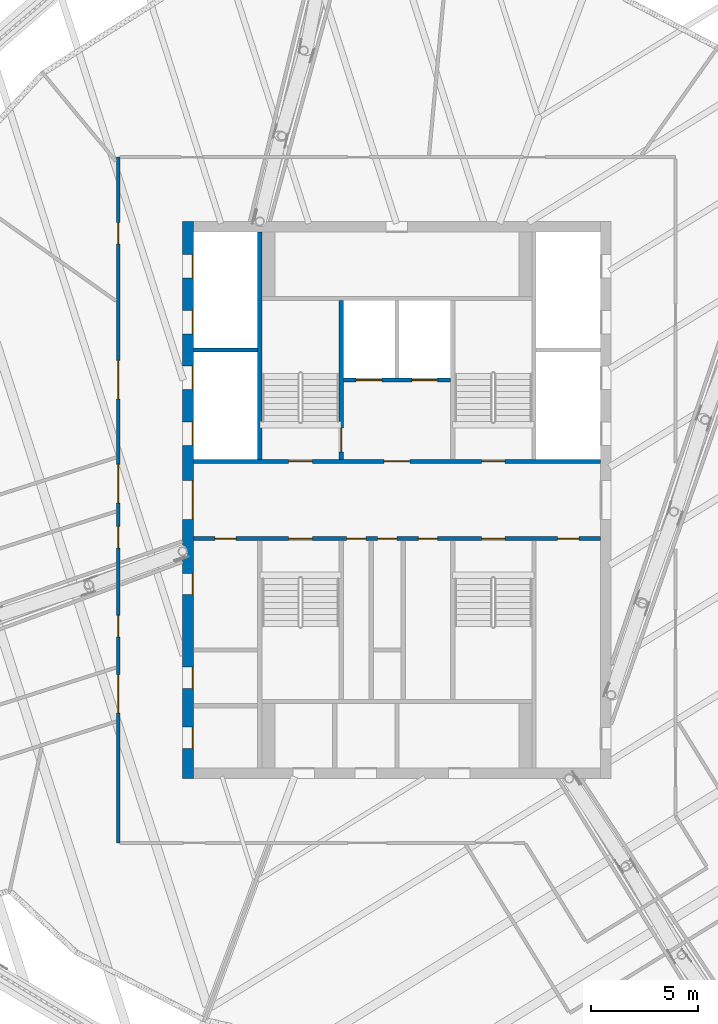
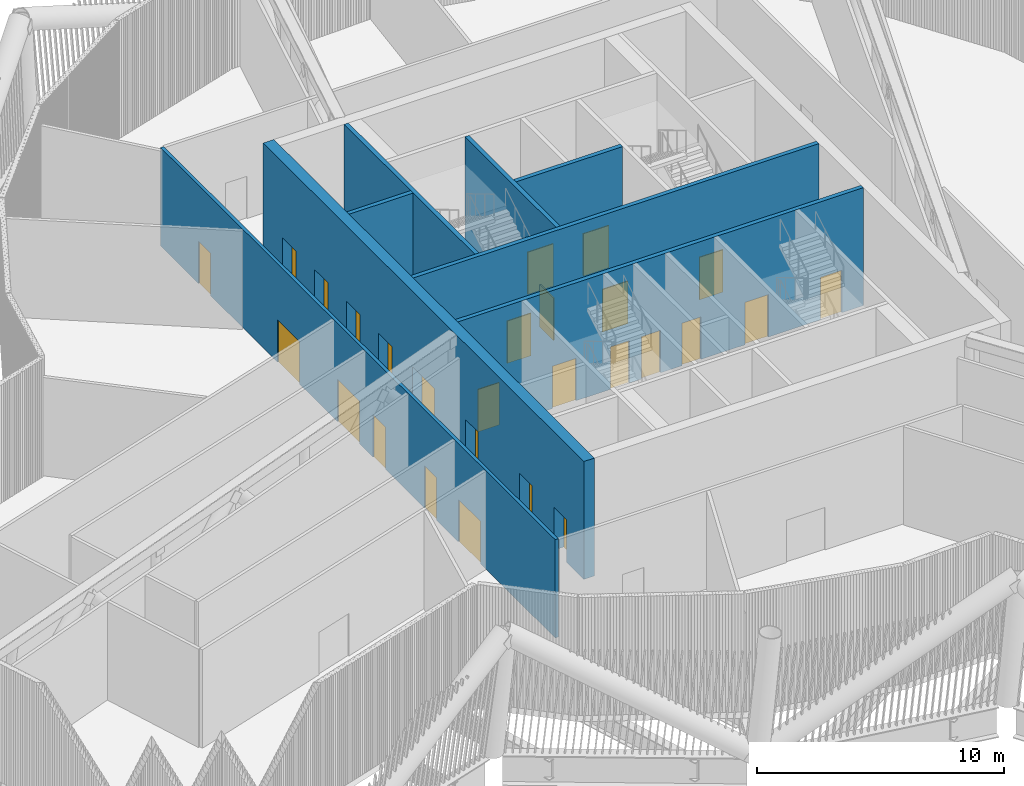
# One storey, part 14 of 40: 27 doors, 8 walls, 27 openings.
"""IFC4 building model written with IfcOpenShell, lengths in metres."""

from ifc_helpers import new_model, si_unit, direction, frame, frame_2d, origin, place, context, subcontext, project, spatial, rectangle, extrude, material, layer, layer_set, type_object, element, fill, save


model = new_model("IFC4")

# Units and contexts
model_context = context("Model", 3, precision=1e-05, world=origin(), true_north=direction((0.0, 1.0)))
body_context = subcontext(model_context, "Body", "Model", "MODEL_VIEW")
ifc_project = project(units=[si_unit("LENGTHUNIT", "METRE"), si_unit("AREAUNIT", "SQUARE_METRE"), si_unit("VOLUMEUNIT", "CUBIC_METRE"), si_unit("PLANEANGLEUNIT", "RADIAN"), si_unit("MASSUNIT", "GRAM", prefix="KILO")], contexts=[model_context])

# Site, building, storey
site_placement = place(None, origin())
site = spatial("IfcSite", under=ifc_project, at=site_placement, CompositionType="ELEMENT")
building_placement = place(site_placement, origin())
building = spatial("IfcBuilding", under=site, at=building_placement, Name="Tarsis Ring Headquarters", CompositionType="ELEMENT")
storey_placement = place(building_placement, frame((0.0, 0.0, 354.800048828125)))
storey = spatial("IfcBuildingStorey", under=building, at=storey_placement, Name="L84", CompositionType="ELEMENT", Elevation=354.800048828125)

# Wall, openings, doors
ifc_material_1 = material(Name="Concrete C50/60", Category="concrete")
ifc_layer_1 = layer(ifc_material_1, 0.5)
ifc_layer_set_1 = layer_set([ifc_layer_1], Name="Core wall 500 C50/60")
wall_type_1 = type_object("IfcWallType", Name="Core wall 500 C50/60", PredefinedType="SHEAR", material=ifc_layer_set_1)
wall_1_placement = place(storey_placement, frame((-9.75, -13.0, 0.0), z_axis=(0.0, 0.0, 1.0), x_axis=(0.0, 1.0, 0.0)))
wall_1 = element("IfcWall", 1, at=wall_1_placement, inside=storey, type_object=wall_type_1, Name="Core wall OW", PredefinedType="SHEAR", context=body_context, shape_type="SweptSolid", body=[
    extrude(rectangle(XDim=26.0, YDim=0.5, at=frame_2d((13.0, 0.0))), origin(), (0.0, 0.0, 1.0), 5.83984375),
])
opening_1_placement = place(wall_1_placement, frame((1.39990234375, 0.0, 0.0)))
opening_1 = element("IfcOpeningElement", 2, at=opening_1_placement, cuts=wall_1, Name="Opening L84-C01", PredefinedType="OPENING", context=body_context, shape_type="SweptSolid", body=[
    extrude(rectangle(XDim=1.0, YDim=2.10009765625, at=frame_2d((0.5, 1.050048828125))), frame((0.0, 0.260009765625, 0.0), z_axis=(0.0, -1.0, 0.0), x_axis=(1.0, 0.0, 0.0)), (0.0, 0.0, 1.0), 0.52001953125),
])
opening_2_placement = place(wall_1_placement, frame((4.199951171875, 0.0, 0.0)))
opening_2 = element("IfcOpeningElement", 3, at=opening_2_placement, cuts=wall_1, Name="Opening L84-C02", PredefinedType="OPENING", context=body_context, shape_type="SweptSolid", body=[
    extrude(rectangle(XDim=1.0, YDim=2.10009765625, at=frame_2d((0.5, 1.050048828125))), frame((0.0, 0.260009765625, 0.0), z_axis=(0.0, -1.0, 0.0), x_axis=(1.0, 0.0, 0.0)), (0.0, 0.0, 1.0), 0.52001953125),
])
opening_3_placement = place(wall_1_placement, frame((8.580078125, 0.0, 0.0)))
opening_3 = element("IfcOpeningElement", 4, at=opening_3_placement, cuts=wall_1, Name="Opening L84-C03", PredefinedType="OPENING", context=body_context, shape_type="SweptSolid", body=[
    extrude(rectangle(XDim=1.0, YDim=2.10009765625, at=frame_2d((0.5, 1.050048828125))), frame((0.0, 0.260009765625, 0.0), z_axis=(0.0, -1.0, 0.0), x_axis=(1.0, 0.0, 0.0)), (0.0, 0.0, 1.0), 0.52001953125),
])
opening_4_placement = place(wall_1_placement, frame((12.10009765625, 0.0, 0.0)))
opening_4 = element("IfcOpeningElement", 5, at=opening_4_placement, cuts=wall_1, Name="Opening L84-C04", PredefinedType="OPENING", context=body_context, shape_type="SweptSolid", body=[
    extrude(rectangle(XDim=1.800048828125, YDim=2.10009765625, at=frame_2d((0.89990234375, 1.050048828125))), frame((0.0, 0.260009765625, 0.0), z_axis=(0.0, -1.0, 0.0), x_axis=(1.0, 0.0, 0.0)), (0.0, 0.0, 1.0), 0.52001953125),
])
opening_5_placement = place(wall_1_placement, frame((15.550048828125, 0.0, 0.0)))
opening_5 = element("IfcOpeningElement", 6, at=opening_5_placement, cuts=wall_1, Name="Opening LD-HR1", PredefinedType="OPENING", context=body_context, shape_type="SweptSolid", body=[
    extrude(rectangle(XDim=1.10009765625, YDim=2.10009765625, at=frame_2d((0.550048828125, 1.050048828125))), frame((0.0, 0.260009765625, 0.0), z_axis=(0.0, -1.0, 0.0), x_axis=(1.0, 0.0, 0.0)), (0.0, 0.0, 1.0), 0.52001953125),
])
opening_6_placement = place(wall_1_placement, frame((18.14990234375, 0.0, 0.0)))
opening_6 = element("IfcOpeningElement", 7, at=opening_6_placement, cuts=wall_1, Name="Opening LD-HR2", PredefinedType="OPENING", context=body_context, shape_type="SweptSolid", body=[
    extrude(rectangle(XDim=1.10009765625, YDim=2.10009765625, at=frame_2d((0.550048828125, 1.050048828125))), frame((0.0, 0.260009765625, 0.0), z_axis=(0.0, -1.0, 0.0), x_axis=(1.0, 0.0, 0.0)), (0.0, 0.0, 1.0), 0.52001953125),
])
opening_7_placement = place(wall_1_placement, frame((20.75, 0.0, 0.0)))
opening_7 = element("IfcOpeningElement", 8, at=opening_7_placement, cuts=wall_1, Name="Opening LD-HR3", PredefinedType="OPENING", context=body_context, shape_type="SweptSolid", body=[
    extrude(rectangle(XDim=1.10009765625, YDim=2.10009765625, at=frame_2d((0.550048828125, 1.050048828125))), frame((0.0, 0.260009765625, 0.0), z_axis=(0.0, -1.0, 0.0), x_axis=(1.0, 0.0, 0.0)), (0.0, 0.0, 1.0), 0.52001953125),
])
opening_8_placement = place(wall_1_placement, frame((23.35009765625, 0.0, 0.0)))
opening_8 = element("IfcOpeningElement", 9, at=opening_8_placement, cuts=wall_1, Name="Opening LD-HR4", PredefinedType="OPENING", context=body_context, shape_type="SweptSolid", body=[
    extrude(rectangle(XDim=1.10009765625, YDim=2.10009765625, at=frame_2d((0.550048828125, 1.050048828125))), frame((0.0, 0.260009765625, 0.0), z_axis=(0.0, -1.0, 0.0), x_axis=(1.0, 0.0, 0.0)), (0.0, 0.0, 1.0), 0.52001953125),
])
ifc_material_2 = material(Name="Steel S355", Category="steel")
door_type_1 = type_object("IfcDoorType", Name="Core entry door 1800x2100", OperationType="DOUBLE_DOOR_SINGLE_SWING", PredefinedType="DOOR", material=ifc_material_2)
door_1_placement = place(opening_4_placement, origin())
door_1 = element("IfcDoor", 10, at=door_1_placement, inside=storey, type_object=door_type_1, Name="Core entry door L84", OperationType="DOUBLE_DOOR_SINGLE_SWING", OverallHeight=2.10009765625, OverallWidth=1.800048828125, PredefinedType="DOOR", context=body_context, shape_type="SweptSolid", body=[
    extrude(rectangle(XDim=1.800048828125, YDim=2.10009765625, at=frame_2d((0.89990234375, 1.050048828125))), frame((0.0, -0.2001953125, 0.0), z_axis=(0.0, -1.0, 0.0), x_axis=(1.0, 0.0, 0.0)), (0.0, 0.0, 1.0), 0.050048828125),
])
fill(opening_4, door_1)
door_type_2 = type_object("IfcDoorType", Name="Core room door 1000x2100", OperationType="SINGLE_SWING_LEFT", PredefinedType="DOOR", material=ifc_material_2)
door_2_placement = place(opening_1_placement, origin())
door_2 = element("IfcDoor", 11, at=door_2_placement, inside=storey, type_object=door_type_2, Name="Core room door L84", OperationType="SINGLE_SWING_LEFT", OverallHeight=2.10009765625, OverallWidth=1.0, PredefinedType="DOOR", context=body_context, shape_type="SweptSolid", body=[
    extrude(rectangle(XDim=1.0, YDim=2.10009765625, at=frame_2d((0.5, 1.050048828125))), frame((0.0, -0.2001953125, 0.0), z_axis=(0.0, -1.0, 0.0), x_axis=(1.0, 0.0, 0.0)), (0.0, 0.0, 1.0), 0.050048828125),
])
fill(opening_1, door_2)
door_3_placement = place(opening_2_placement, origin())
door_3 = element("IfcDoor", 12, at=door_3_placement, inside=storey, type_object=door_type_2, Name="Core room door L84", OperationType="SINGLE_SWING_LEFT", OverallHeight=2.10009765625, OverallWidth=1.0, PredefinedType="DOOR", context=body_context, shape_type="SweptSolid", body=[
    extrude(rectangle(XDim=1.0, YDim=2.10009765625, at=frame_2d((0.5, 1.050048828125))), frame((0.0, -0.2001953125, 0.0), z_axis=(0.0, -1.0, 0.0), x_axis=(1.0, 0.0, 0.0)), (0.0, 0.0, 1.0), 0.050048828125),
])
fill(opening_2, door_3)
door_4_placement = place(opening_3_placement, origin())
door_4 = element("IfcDoor", 13, at=door_4_placement, inside=storey, type_object=door_type_2, Name="Core room door L84", OperationType="SINGLE_SWING_LEFT", OverallHeight=2.10009765625, OverallWidth=1.0, PredefinedType="DOOR", context=body_context, shape_type="SweptSolid", body=[
    extrude(rectangle(XDim=1.0, YDim=2.10009765625, at=frame_2d((0.5, 1.050048828125))), frame((0.0, -0.2001953125, 0.0), z_axis=(0.0, -1.0, 0.0), x_axis=(1.0, 0.0, 0.0)), (0.0, 0.0, 1.0), 0.050048828125),
])
fill(opening_3, door_4)
door_type_3 = type_object("IfcDoorType", Name="Landing door 1100x2100", OperationType="SLIDING_TO_LEFT", PredefinedType="DOOR", material=ifc_material_2)
door_5_placement = place(opening_5_placement, origin())
door_5 = element("IfcDoor", 14, at=door_5_placement, inside=storey, type_object=door_type_3, Name="Landing door HR1 L84", OperationType="SLIDING_TO_LEFT", OverallHeight=2.10009765625, OverallWidth=1.10009765625, PredefinedType="DOOR", context=body_context, shape_type="SweptSolid", body=[
    extrude(rectangle(XDim=1.10009765625, YDim=2.10009765625, at=frame_2d((0.550048828125, 1.050048828125))), frame((0.0, -0.2001953125, 0.0), z_axis=(0.0, -1.0, 0.0), x_axis=(1.0, 0.0, 0.0)), (0.0, 0.0, 1.0), 0.050048828125),
])
fill(opening_5, door_5)
door_6_placement = place(opening_6_placement, origin())
door_6 = element("IfcDoor", 15, at=door_6_placement, inside=storey, type_object=door_type_3, Name="Landing door HR2 L84", OperationType="SLIDING_TO_LEFT", OverallHeight=2.10009765625, OverallWidth=1.10009765625, PredefinedType="DOOR", context=body_context, shape_type="SweptSolid", body=[
    extrude(rectangle(XDim=1.10009765625, YDim=2.10009765625, at=frame_2d((0.550048828125, 1.050048828125))), frame((0.0, -0.2001953125, 0.0), z_axis=(0.0, -1.0, 0.0), x_axis=(1.0, 0.0, 0.0)), (0.0, 0.0, 1.0), 0.050048828125),
])
fill(opening_6, door_6)
door_7_placement = place(opening_7_placement, origin())
door_7 = element("IfcDoor", 16, at=door_7_placement, inside=storey, type_object=door_type_3, Name="Landing door HR3 L84", OperationType="SLIDING_TO_LEFT", OverallHeight=2.10009765625, OverallWidth=1.10009765625, PredefinedType="DOOR", context=body_context, shape_type="SweptSolid", body=[
    extrude(rectangle(XDim=1.10009765625, YDim=2.10009765625, at=frame_2d((0.550048828125, 1.050048828125))), frame((0.0, -0.2001953125, 0.0), z_axis=(0.0, -1.0, 0.0), x_axis=(1.0, 0.0, 0.0)), (0.0, 0.0, 1.0), 0.050048828125),
])
fill(opening_7, door_7)
door_8_placement = place(opening_8_placement, origin())
door_8 = element("IfcDoor", 17, at=door_8_placement, inside=storey, type_object=door_type_3, Name="Landing door HR4 L84", OperationType="SLIDING_TO_LEFT", OverallHeight=2.10009765625, OverallWidth=1.10009765625, PredefinedType="DOOR", context=body_context, shape_type="SweptSolid", body=[
    extrude(rectangle(XDim=1.10009765625, YDim=2.10009765625, at=frame_2d((0.550048828125, 1.050048828125))), frame((0.0, -0.2001953125, 0.0), z_axis=(0.0, -1.0, 0.0), x_axis=(1.0, 0.0, 0.0)), (0.0, 0.0, 1.0), 0.050048828125),
])
fill(opening_8, door_8)

ifc_material_3 = material(Name="Gypsum board on steel studs", Category="steel")
ifc_layer_2 = layer(ifc_material_3, 0.14990234375)
ifc_layer_set_2 = layer_set([ifc_layer_2], Name="FL partition 150 EI 120 H4870")
wall_type_2 = type_object("IfcWallType", Name="FL partition 150 EI 120 H4870", PredefinedType="PARTITIONING", material=ifc_layer_set_2)
wall_2_placement = place(storey_placement, frame((-13.0, -16.0, 0.0), z_axis=(0.0, 0.0, 1.0), x_axis=(0.0, 1.0, 0.0)))
wall_2 = element("IfcWall", 18, at=wall_2_placement, inside=storey, type_object=wall_type_2, Name="Partition PW2H487", PredefinedType="PARTITIONING", context=body_context, shape_type="SweptSolid", body=[
    extrude(rectangle(XDim=32.0, YDim=0.14990234375, at=frame_2d((16.0, 0.0))), origin(), (0.0, 0.0, 1.0), 4.869873046875),
])
opening_9_placement = place(wall_2_placement, frame((20.714111328125, 0.0, 0.0)))
opening_9 = element("IfcOpeningElement", 19, at=opening_9_placement, cuts=wall_2, Name="Opening D84.04", PredefinedType="OPENING", context=body_context, shape_type="SweptSolid", body=[
    extrude(rectangle(XDim=1.800048828125, YDim=2.10009765625, at=frame_2d((0.89990234375, 1.050048828125))), frame((0.0, 0.0849609375, 0.0), z_axis=(0.0, -1.0, 0.0), x_axis=(1.0, 0.0, 0.0)), (0.0, 0.0, 1.0), 0.169921875),
])
opening_10_placement = place(wall_2_placement, frame((27.9404296875, 0.0, 0.0)))
opening_10 = element("IfcOpeningElement", 20, at=opening_10_placement, cuts=wall_2, Name="Opening D84.05", PredefinedType="OPENING", context=body_context, shape_type="SweptSolid", body=[
    extrude(rectangle(XDim=1.0, YDim=2.10009765625, at=frame_2d((0.5, 1.050048828125))), frame((0.0, 0.0849609375, 0.0), z_axis=(0.0, -1.0, 0.0), x_axis=(1.0, 0.0, 0.0)), (0.0, 0.0, 1.0), 0.169921875),
])
opening_11_placement = place(wall_2_placement, frame((9.613037109375, 0.0, 0.0)))
opening_11 = element("IfcOpeningElement", 21, at=opening_11_placement, cuts=wall_2, Name="Opening D84.12", PredefinedType="OPENING", context=body_context, shape_type="SweptSolid", body=[
    extrude(rectangle(XDim=1.0, YDim=2.10009765625, at=frame_2d((0.5, 1.050048828125))), frame((0.0, 0.0849609375, 0.0), z_axis=(0.0, -1.0, 0.0), x_axis=(1.0, 0.0, 0.0)), (0.0, 0.0, 1.0), 0.169921875),
])
opening_12_placement = place(wall_2_placement, frame((13.768798828125, 0.0, 0.0)))
opening_12 = element("IfcOpeningElement", 22, at=opening_12_placement, cuts=wall_2, Name="Opening D84.13", PredefinedType="OPENING", context=body_context, shape_type="SweptSolid", body=[
    extrude(rectangle(XDim=1.0, YDim=2.10009765625, at=frame_2d((0.5, 1.050048828125))), frame((0.0, 0.0849609375, 0.0), z_axis=(0.0, -1.0, 0.0), x_axis=(1.0, 0.0, 0.0)), (0.0, 0.0, 1.0), 0.169921875),
])
opening_13_placement = place(wall_2_placement, frame((6.0546875, 0.0, 0.0)))
opening_13 = element("IfcOpeningElement", 23, at=opening_13_placement, cuts=wall_2, Name="Opening D84.16", PredefinedType="OPENING", context=body_context, shape_type="SweptSolid", body=[
    extrude(rectangle(XDim=1.800048828125, YDim=2.10009765625, at=frame_2d((0.89990234375, 1.050048828125))), frame((0.0, 0.0849609375, 0.0), z_axis=(0.0, -1.0, 0.0), x_axis=(1.0, 0.0, 0.0)), (0.0, 0.0, 1.0), 0.169921875),
])
opening_14_placement = place(wall_2_placement, frame((15.857666015625, 0.0, 0.0)))
opening_14 = element("IfcOpeningElement", 24, at=opening_14_placement, cuts=wall_2, Name="Opening D84.17", PredefinedType="OPENING", context=body_context, shape_type="SweptSolid", body=[
    extrude(rectangle(XDim=1.800048828125, YDim=2.10009765625, at=frame_2d((0.89990234375, 1.050048828125))), frame((0.0, 0.0849609375, 0.0), z_axis=(0.0, -1.0, 0.0), x_axis=(1.0, 0.0, 0.0)), (0.0, 0.0, 1.0), 0.169921875),
])
ifc_material_4 = material(Name="Fire-rated timber door leaf in steel frame", Category="steel")
door_type_4 = type_object("IfcDoorType", Name="FL door FD120-1000", OperationType="NOTDEFINED", PredefinedType="DOOR", material=ifc_material_4)
door_9_placement = place(opening_10_placement, origin())
door_9 = element("IfcDoor", 25, at=door_9_placement, inside=storey, type_object=door_type_4, Name="Door D84.05", OperationType="SINGLE_SWING_LEFT", OverallHeight=2.10009765625, OverallWidth=1.0, PredefinedType="DOOR", context=body_context, shape_type="SweptSolid", body=[
    extrude(rectangle(XDim=1.0, YDim=2.10009765625, at=frame_2d((0.5, 1.050048828125))), frame((0.0, 0.02490234375, 0.0), z_axis=(0.0, -1.0, 0.0), x_axis=(1.0, 0.0, 0.0)), (0.0, 0.0, 1.0), 0.050048828125),
])
fill(opening_10, door_9)
door_10_placement = place(opening_11_placement, origin())
door_10 = element("IfcDoor", 26, at=door_10_placement, inside=storey, type_object=door_type_4, Name="Door D84.12", OperationType="SINGLE_SWING_RIGHT", OverallHeight=2.10009765625, OverallWidth=1.0, PredefinedType="DOOR", context=body_context, shape_type="SweptSolid", body=[
    extrude(rectangle(XDim=1.0, YDim=2.10009765625, at=frame_2d((0.5, 1.050048828125))), frame((0.0, 0.02490234375, 0.0), z_axis=(0.0, -1.0, 0.0), x_axis=(1.0, 0.0, 0.0)), (0.0, 0.0, 1.0), 0.050048828125),
])
fill(opening_11, door_10)
door_11_placement = place(opening_12_placement, origin())
door_11 = element("IfcDoor", 27, at=door_11_placement, inside=storey, type_object=door_type_4, Name="Door D84.13", OperationType="SINGLE_SWING_LEFT", OverallHeight=2.10009765625, OverallWidth=1.0, PredefinedType="DOOR", context=body_context, shape_type="SweptSolid", body=[
    extrude(rectangle(XDim=1.0, YDim=2.10009765625, at=frame_2d((0.5, 1.050048828125))), frame((0.0, 0.02490234375, 0.0), z_axis=(0.0, -1.0, 0.0), x_axis=(1.0, 0.0, 0.0)), (0.0, 0.0, 1.0), 0.050048828125),
])
fill(opening_12, door_11)
door_type_5 = type_object("IfcDoorType", Name="FL door FD120-1800", OperationType="DOUBLE_DOOR_SINGLE_SWING", PredefinedType="DOOR", material=ifc_material_4)
door_12_placement = place(opening_9_placement, origin())
door_12 = element("IfcDoor", 28, at=door_12_placement, inside=storey, type_object=door_type_5, Name="Door D84.04", OperationType="DOUBLE_DOOR_SINGLE_SWING", OverallHeight=2.10009765625, OverallWidth=1.800048828125, PredefinedType="DOOR", context=body_context, shape_type="SweptSolid", body=[
    extrude(rectangle(XDim=1.800048828125, YDim=2.10009765625, at=frame_2d((0.89990234375, 1.050048828125))), frame((0.0, 0.02490234375, 0.0), z_axis=(0.0, -1.0, 0.0), x_axis=(1.0, 0.0, 0.0)), (0.0, 0.0, 1.0), 0.050048828125),
])
fill(opening_9, door_12)
door_13_placement = place(opening_13_placement, origin())
door_13 = element("IfcDoor", 29, at=door_13_placement, inside=storey, type_object=door_type_5, Name="Door D84.16", OperationType="DOUBLE_DOOR_SINGLE_SWING", OverallHeight=2.10009765625, OverallWidth=1.800048828125, PredefinedType="DOOR", context=body_context, shape_type="SweptSolid", body=[
    extrude(rectangle(XDim=1.800048828125, YDim=2.10009765625, at=frame_2d((0.89990234375, 1.050048828125))), frame((0.0, 0.02490234375, 0.0), z_axis=(0.0, -1.0, 0.0), x_axis=(1.0, 0.0, 0.0)), (0.0, 0.0, 1.0), 0.050048828125),
])
fill(opening_13, door_13)
door_14_placement = place(opening_14_placement, origin())
door_14 = element("IfcDoor", 30, at=door_14_placement, inside=storey, type_object=door_type_5, Name="Door D84.17", OperationType="DOUBLE_DOOR_SINGLE_SWING", OverallHeight=2.10009765625, OverallWidth=1.800048828125, PredefinedType="DOOR", context=body_context, shape_type="SweptSolid", body=[
    extrude(rectangle(XDim=1.800048828125, YDim=2.10009765625, at=frame_2d((0.89990234375, 1.050048828125))), frame((0.0, 0.02490234375, 0.0), z_axis=(0.0, -1.0, 0.0), x_axis=(1.0, 0.0, 0.0)), (0.0, 0.0, 1.0), 0.050048828125),
])
fill(opening_14, door_14)

ifc_material_5 = material(Name="Concrete C32/40", Category="concrete")
ifc_layer_3 = layer(ifc_material_5, 0.199951171875)
ifc_layer_set_3 = layer_set([ifc_layer_3], Name="Shaft wall 200 C32/40")
wall_type_3 = type_object("IfcWallType", Name="Shaft wall 200 C32/40", PredefinedType="SOLIDWALL", material=ifc_layer_set_3)
wall_3_placement = place(storey_placement, frame((-9.5, 1.800048828125, 0.0), z_axis=(0.0, 0.0, 1.0), x_axis=(1.0, 0.0, 0.0)))
wall_3 = element("IfcWall", 31, at=wall_3_placement, inside=storey, type_object=wall_type_3, Name="Core shaft wall CN", PredefinedType="SOLIDWALL", context=body_context, shape_type="SweptSolid", body=[
    extrude(rectangle(XDim=19.0, YDim=0.199951171875, at=frame_2d((9.5, 0.0))), origin(), (0.0, 0.0, 1.0), 5.83984375),
])
opening_15_placement = place(wall_3_placement, frame((4.449951171875, 0.0, 0.0)))
opening_15 = element("IfcOpeningElement", 32, at=opening_15_placement, cuts=wall_3, Name="Opening L84-C19", PredefinedType="OPENING", context=body_context, shape_type="SweptSolid", body=[
    extrude(rectangle(XDim=1.10009765625, YDim=2.10009765625, at=frame_2d((0.550048828125, 1.050048828125))), frame((0.0, 0.10986328125, 0.0), z_axis=(0.0, -1.0, 0.0), x_axis=(1.0, 0.0, 0.0)), (0.0, 0.0, 1.0), 0.219970703125),
])
opening_16_placement = place(wall_3_placement, frame((8.89990234375, 0.0, 0.0)))
opening_16 = element("IfcOpeningElement", 33, at=opening_16_placement, cuts=wall_3, Name="Opening L84-C20", PredefinedType="OPENING", context=body_context, shape_type="SweptSolid", body=[
    extrude(rectangle(XDim=1.199951171875, YDim=2.10009765625, at=frame_2d((0.60009765625, 1.050048828125))), frame((0.0, 0.10986328125, 0.0), z_axis=(0.0, -1.0, 0.0), x_axis=(1.0, 0.0, 0.0)), (0.0, 0.0, 1.0), 0.219970703125),
])
opening_17_placement = place(wall_3_placement, frame((13.449951171875, 0.0, 0.0)))
opening_17 = element("IfcOpeningElement", 34, at=opening_17_placement, cuts=wall_3, Name="Opening L84-C21", PredefinedType="OPENING", context=body_context, shape_type="SweptSolid", body=[
    extrude(rectangle(XDim=1.10009765625, YDim=2.10009765625, at=frame_2d((0.550048828125, 1.050048828125))), frame((0.0, 0.10986328125, 0.0), z_axis=(0.0, -1.0, 0.0), x_axis=(1.0, 0.0, 0.0)), (0.0, 0.0, 1.0), 0.219970703125),
])
door_type_6 = type_object("IfcDoorType", Name="Firefighting lobby door 1200x2100", OperationType="DOUBLE_DOOR_SINGLE_SWING", PredefinedType="DOOR", material=ifc_material_2)
door_15_placement = place(opening_16_placement, origin())
door_15 = element("IfcDoor", 35, at=door_15_placement, inside=storey, type_object=door_type_6, Name="Firefighting lobby door L84", OperationType="DOUBLE_DOOR_SINGLE_SWING", OverallHeight=2.10009765625, OverallWidth=1.199951171875, PredefinedType="DOOR", context=body_context, shape_type="SweptSolid", body=[
    extrude(rectangle(XDim=1.199951171875, YDim=2.10009765625, at=frame_2d((0.60009765625, 1.050048828125))), frame((0.0, 0.02490234375, 0.0), z_axis=(0.0, -1.0, 0.0), x_axis=(1.0, 0.0, 0.0)), (0.0, 0.0, 1.0), 0.050048828125),
])
fill(opening_16, door_15)
door_type_7 = type_object("IfcDoorType", Name="Stair door 1100x2100", OperationType="SINGLE_SWING_LEFT", PredefinedType="DOOR", material=ifc_material_2)
door_16_placement = place(opening_15_placement, origin())
door_16 = element("IfcDoor", 36, at=door_16_placement, inside=storey, type_object=door_type_7, Name="Stair door L84", OperationType="SINGLE_SWING_LEFT", OverallHeight=2.10009765625, OverallWidth=1.10009765625, PredefinedType="DOOR", context=body_context, shape_type="SweptSolid", body=[
    extrude(rectangle(XDim=1.10009765625, YDim=2.10009765625, at=frame_2d((0.550048828125, 1.050048828125))), frame((0.0, 0.02490234375, 0.0), z_axis=(0.0, -1.0, 0.0), x_axis=(1.0, 0.0, 0.0)), (0.0, 0.0, 1.0), 0.050048828125),
])
fill(opening_15, door_16)
door_17_placement = place(opening_17_placement, origin())
door_17 = element("IfcDoor", 37, at=door_17_placement, inside=storey, type_object=door_type_7, Name="Stair door L84", OperationType="SINGLE_SWING_LEFT", OverallHeight=2.10009765625, OverallWidth=1.10009765625, PredefinedType="DOOR", context=body_context, shape_type="SweptSolid", body=[
    extrude(rectangle(XDim=1.10009765625, YDim=2.10009765625, at=frame_2d((0.550048828125, 1.050048828125))), frame((0.0, 0.02490234375, 0.0), z_axis=(0.0, -1.0, 0.0), x_axis=(1.0, 0.0, 0.0)), (0.0, 0.0, 1.0), 0.050048828125),
])
fill(opening_17, door_17)

wall_4_placement = place(storey_placement, frame((-9.5, -1.800048828125, 0.0), z_axis=(0.0, 0.0, 1.0), x_axis=(1.0, 0.0, 0.0)))
wall_4 = element("IfcWall", 38, at=wall_4_placement, inside=storey, type_object=wall_type_3, Name="Core shaft wall CS", PredefinedType="SOLIDWALL", context=body_context, shape_type="SweptSolid", body=[
    extrude(rectangle(XDim=19.0, YDim=0.199951171875, at=frame_2d((9.5, 0.0))), origin(), (0.0, 0.0, 1.0), 5.83984375),
])
opening_18_placement = place(wall_4_placement, frame((1.0, 0.0, 0.0)))
opening_18 = element("IfcOpeningElement", 39, at=opening_18_placement, cuts=wall_4, Name="Opening L84-C22", PredefinedType="OPENING", context=body_context, shape_type="SweptSolid", body=[
    extrude(rectangle(XDim=1.0, YDim=2.10009765625, at=frame_2d((0.5, 1.050048828125))), frame((0.0, 0.10986328125, 0.0), z_axis=(0.0, -1.0, 0.0), x_axis=(1.0, 0.0, 0.0)), (0.0, 0.0, 1.0), 0.219970703125),
])
opening_19_placement = place(wall_4_placement, frame((4.449951171875, 0.0, 0.0)))
opening_19 = element("IfcOpeningElement", 40, at=opening_19_placement, cuts=wall_4, Name="Opening L84-C23", PredefinedType="OPENING", context=body_context, shape_type="SweptSolid", body=[
    extrude(rectangle(XDim=1.10009765625, YDim=2.10009765625, at=frame_2d((0.550048828125, 1.050048828125))), frame((0.0, 0.10986328125, 0.0), z_axis=(0.0, -1.0, 0.0), x_axis=(1.0, 0.0, 0.0)), (0.0, 0.0, 1.0), 0.219970703125),
])
opening_20_placement = place(wall_4_placement, frame((7.14990234375, 0.0, 0.0)))
opening_20 = element("IfcOpeningElement", 41, at=opening_20_placement, cuts=wall_4, Name="Opening L84-C24", PredefinedType="OPENING", context=body_context, shape_type="SweptSolid", body=[
    extrude(rectangle(XDim=0.89990234375, YDim=2.10009765625, at=frame_2d((0.449951171875, 1.050048828125))), frame((0.0, 0.10986328125, 0.0), z_axis=(0.0, -1.0, 0.0), x_axis=(1.0, 0.0, 0.0)), (0.0, 0.0, 1.0), 0.219970703125),
])
opening_21_placement = place(wall_4_placement, frame((8.60009765625, 0.0, 0.0)))
opening_21 = element("IfcOpeningElement", 42, at=opening_21_placement, cuts=wall_4, Name="Opening L84-C25", PredefinedType="OPENING", context=body_context, shape_type="SweptSolid", body=[
    extrude(rectangle(XDim=0.89990234375, YDim=2.10009765625, at=frame_2d((0.449951171875, 1.050048828125))), frame((0.0, 0.10986328125, 0.0), z_axis=(0.0, -1.0, 0.0), x_axis=(1.0, 0.0, 0.0)), (0.0, 0.0, 1.0), 0.219970703125),
])
opening_22_placement = place(wall_4_placement, frame((10.5, 0.0, 0.0)))
opening_22 = element("IfcOpeningElement", 43, at=opening_22_placement, cuts=wall_4, Name="Opening L84-C26", PredefinedType="OPENING", context=body_context, shape_type="SweptSolid", body=[
    extrude(rectangle(XDim=0.89990234375, YDim=2.10009765625, at=frame_2d((0.449951171875, 1.050048828125))), frame((0.0, 0.10986328125, 0.0), z_axis=(0.0, -1.0, 0.0), x_axis=(1.0, 0.0, 0.0)), (0.0, 0.0, 1.0), 0.219970703125),
])
opening_23_placement = place(wall_4_placement, frame((13.449951171875, 0.0, 0.0)))
opening_23 = element("IfcOpeningElement", 44, at=opening_23_placement, cuts=wall_4, Name="Opening L84-C27", PredefinedType="OPENING", context=body_context, shape_type="SweptSolid", body=[
    extrude(rectangle(XDim=1.10009765625, YDim=2.10009765625, at=frame_2d((0.550048828125, 1.050048828125))), frame((0.0, 0.10986328125, 0.0), z_axis=(0.0, -1.0, 0.0), x_axis=(1.0, 0.0, 0.0)), (0.0, 0.0, 1.0), 0.219970703125),
])
opening_24_placement = place(wall_4_placement, frame((17.0, 0.0, 0.0)))
opening_24 = element("IfcOpeningElement", 45, at=opening_24_placement, cuts=wall_4, Name="Opening L84-C28", PredefinedType="OPENING", context=body_context, shape_type="SweptSolid", body=[
    extrude(rectangle(XDim=1.0, YDim=2.10009765625, at=frame_2d((0.5, 1.050048828125))), frame((0.0, 0.10986328125, 0.0), z_axis=(0.0, -1.0, 0.0), x_axis=(1.0, 0.0, 0.0)), (0.0, 0.0, 1.0), 0.219970703125),
])
door_18_placement = place(opening_18_placement, origin())
door_18 = element("IfcDoor", 46, at=door_18_placement, inside=storey, type_object=door_type_2, Name="Core room door L84", OperationType="SINGLE_SWING_LEFT", OverallHeight=2.10009765625, OverallWidth=1.0, PredefinedType="DOOR", context=body_context, shape_type="SweptSolid", body=[
    extrude(rectangle(XDim=1.0, YDim=2.10009765625, at=frame_2d((0.5, 1.050048828125))), frame((0.0, 0.02490234375, 0.0), z_axis=(0.0, -1.0, 0.0), x_axis=(1.0, 0.0, 0.0)), (0.0, 0.0, 1.0), 0.050048828125),
])
fill(opening_18, door_18)
door_19_placement = place(opening_24_placement, origin())
door_19 = element("IfcDoor", 47, at=door_19_placement, inside=storey, type_object=door_type_2, Name="Core room door L84", OperationType="SINGLE_SWING_LEFT", OverallHeight=2.10009765625, OverallWidth=1.0, PredefinedType="DOOR", context=body_context, shape_type="SweptSolid", body=[
    extrude(rectangle(XDim=1.0, YDim=2.10009765625, at=frame_2d((0.5, 1.050048828125))), frame((0.0, 0.02490234375, 0.0), z_axis=(0.0, -1.0, 0.0), x_axis=(1.0, 0.0, 0.0)), (0.0, 0.0, 1.0), 0.050048828125),
])
fill(opening_24, door_19)
door_20_placement = place(opening_19_placement, origin())
door_20 = element("IfcDoor", 48, at=door_20_placement, inside=storey, type_object=door_type_7, Name="Stair door L84", OperationType="SINGLE_SWING_LEFT", OverallHeight=2.10009765625, OverallWidth=1.10009765625, PredefinedType="DOOR", context=body_context, shape_type="SweptSolid", body=[
    extrude(rectangle(XDim=1.10009765625, YDim=2.10009765625, at=frame_2d((0.550048828125, 1.050048828125))), frame((0.0, 0.02490234375, 0.0), z_axis=(0.0, -1.0, 0.0), x_axis=(1.0, 0.0, 0.0)), (0.0, 0.0, 1.0), 0.050048828125),
])
fill(opening_19, door_20)
door_21_placement = place(opening_23_placement, origin())
door_21 = element("IfcDoor", 49, at=door_21_placement, inside=storey, type_object=door_type_7, Name="Stair door L84", OperationType="SINGLE_SWING_LEFT", OverallHeight=2.10009765625, OverallWidth=1.10009765625, PredefinedType="DOOR", context=body_context, shape_type="SweptSolid", body=[
    extrude(rectangle(XDim=1.10009765625, YDim=2.10009765625, at=frame_2d((0.550048828125, 1.050048828125))), frame((0.0, 0.02490234375, 0.0), z_axis=(0.0, -1.0, 0.0), x_axis=(1.0, 0.0, 0.0)), (0.0, 0.0, 1.0), 0.050048828125),
])
fill(opening_23, door_21)
door_type_8 = type_object("IfcDoorType", Name="WC door 900x2100", OperationType="SINGLE_SWING_LEFT", PredefinedType="DOOR", material=ifc_material_2)
door_22_placement = place(opening_20_placement, origin())
door_22 = element("IfcDoor", 50, at=door_22_placement, inside=storey, type_object=door_type_8, Name="WC door L84", OperationType="SINGLE_SWING_LEFT", OverallHeight=2.10009765625, OverallWidth=0.89990234375, PredefinedType="DOOR", context=body_context, shape_type="SweptSolid", body=[
    extrude(rectangle(XDim=0.89990234375, YDim=2.10009765625, at=frame_2d((0.449951171875, 1.050048828125))), frame((0.0, 0.02490234375, 0.0), z_axis=(0.0, -1.0, 0.0), x_axis=(1.0, 0.0, 0.0)), (0.0, 0.0, 1.0), 0.050048828125),
])
fill(opening_20, door_22)
door_23_placement = place(opening_21_placement, origin())
door_23 = element("IfcDoor", 51, at=door_23_placement, inside=storey, type_object=door_type_8, Name="WC door L84", OperationType="SINGLE_SWING_LEFT", OverallHeight=2.10009765625, OverallWidth=0.89990234375, PredefinedType="DOOR", context=body_context, shape_type="SweptSolid", body=[
    extrude(rectangle(XDim=0.89990234375, YDim=2.10009765625, at=frame_2d((0.449951171875, 1.050048828125))), frame((0.0, 0.02490234375, 0.0), z_axis=(0.0, -1.0, 0.0), x_axis=(1.0, 0.0, 0.0)), (0.0, 0.0, 1.0), 0.050048828125),
])
fill(opening_21, door_23)
door_24_placement = place(opening_22_placement, origin())
door_24 = element("IfcDoor", 52, at=door_24_placement, inside=storey, type_object=door_type_8, Name="WC door L84", OperationType="SINGLE_SWING_LEFT", OverallHeight=2.10009765625, OverallWidth=0.89990234375, PredefinedType="DOOR", context=body_context, shape_type="SweptSolid", body=[
    extrude(rectangle(XDim=0.89990234375, YDim=2.10009765625, at=frame_2d((0.449951171875, 1.050048828125))), frame((0.0, 0.02490234375, 0.0), z_axis=(0.0, -1.0, 0.0), x_axis=(1.0, 0.0, 0.0)), (0.0, 0.0, 1.0), 0.050048828125),
])
fill(opening_22, door_24)

# Wall
wall_5_placement = place(storey_placement, frame((-6.39990234375, 1.89990234375, 0.0), z_axis=(0.0, 0.0, 1.0), x_axis=(0.0, 1.0, 0.0)))
element("IfcWall", 53, at=wall_5_placement, inside=storey, type_object=wall_type_3, Name="Core shaft wall WB2", PredefinedType="SOLIDWALL", context=body_context, shape_type="SweptSolid", body=[
    extrude(rectangle(XDim=10.60009765625, YDim=0.199951171875, at=frame_2d((5.300048828125, 0.0))), origin(), (0.0, 0.0, 1.0), 5.83984375),
])

# Wall, opening, door
wall_6_placement = place(storey_placement, frame((-2.60009765625, 1.89990234375, 0.0), z_axis=(0.0, 0.0, 1.0), x_axis=(0.0, 1.0, 0.0)))
wall_6 = element("IfcWall", 54, at=wall_6_placement, inside=storey, type_object=wall_type_3, Name="Core shaft wall SW1", PredefinedType="SOLIDWALL", context=body_context, shape_type="SweptSolid", body=[
    extrude(rectangle(XDim=7.400146484375, YDim=0.199951171875, at=frame_2d((3.7001953125, 0.0))), origin(), (0.0, 0.0, 1.0), 5.83984375),
])
opening_25_placement = place(wall_6_placement, frame((0.35009765625, 0.0, 0.0)))
opening_25 = element("IfcOpeningElement", 55, at=opening_25_placement, cuts=wall_6, Name="Opening L84-C29", PredefinedType="OPENING", context=body_context, shape_type="SweptSolid", body=[
    extrude(rectangle(XDim=1.10009765625, YDim=2.10009765625, at=frame_2d((0.550048828125, 1.050048828125))), frame((0.0, 0.10986328125, 0.0), z_axis=(0.0, -1.0, 0.0), x_axis=(1.0, 0.0, 0.0)), (0.0, 0.0, 1.0), 0.219970703125),
])
door_25_placement = place(opening_25_placement, origin())
door_25 = element("IfcDoor", 56, at=door_25_placement, inside=storey, type_object=door_type_7, Name="Stair door L84", OperationType="SINGLE_SWING_LEFT", OverallHeight=2.10009765625, OverallWidth=1.10009765625, PredefinedType="DOOR", context=body_context, shape_type="SweptSolid", body=[
    extrude(rectangle(XDim=1.10009765625, YDim=2.10009765625, at=frame_2d((0.550048828125, 1.050048828125))), frame((0.0, 0.02490234375, 0.0), z_axis=(0.0, -1.0, 0.0), x_axis=(1.0, 0.0, 0.0)), (0.0, 0.0, 1.0), 0.050048828125),
])
fill(opening_25, door_25)

# Wall, openings, doors
wall_7_placement = place(storey_placement, frame((-2.5, 5.60009765625, 0.0), z_axis=(0.0, 0.0, 1.0), x_axis=(1.0, 0.0, 0.0)))
wall_7 = element("IfcWall", 57, at=wall_7_placement, inside=storey, type_object=wall_type_3, Name="Core shaft wall FFN", PredefinedType="SOLIDWALL", context=body_context, shape_type="SweptSolid", body=[
    extrude(rectangle(XDim=5.0, YDim=0.199951171875, at=frame_2d((2.5, 0.0))), origin(), (0.0, 0.0, 1.0), 5.83984375),
])
opening_26_placement = place(wall_7_placement, frame((0.60009765625, 0.0, 0.0)))
opening_26 = element("IfcOpeningElement", 58, at=opening_26_placement, cuts=wall_7, Name="Opening LDF-1", PredefinedType="OPENING", context=body_context, shape_type="SweptSolid", body=[
    extrude(rectangle(XDim=1.199951171875, YDim=2.10009765625, at=frame_2d((0.60009765625, 1.050048828125))), frame((0.0, 0.10986328125, 0.0), z_axis=(0.0, -1.0, 0.0), x_axis=(1.0, 0.0, 0.0)), (0.0, 0.0, 1.0), 0.219970703125),
])
opening_27_placement = place(wall_7_placement, frame((3.199951171875, 0.0, 0.0)))
opening_27 = element("IfcOpeningElement", 59, at=opening_27_placement, cuts=wall_7, Name="Opening LDF-2", PredefinedType="OPENING", context=body_context, shape_type="SweptSolid", body=[
    extrude(rectangle(XDim=1.199951171875, YDim=2.10009765625, at=frame_2d((0.60009765625, 1.050048828125))), frame((0.0, 0.10986328125, 0.0), z_axis=(0.0, -1.0, 0.0), x_axis=(1.0, 0.0, 0.0)), (0.0, 0.0, 1.0), 0.219970703125),
])
door_type_9 = type_object("IfcDoorType", Name="Firefighting landing door 1200x2100", OperationType="SLIDING_TO_LEFT", PredefinedType="DOOR", material=ifc_material_2)
door_26_placement = place(opening_26_placement, origin())
door_26 = element("IfcDoor", 60, at=door_26_placement, inside=storey, type_object=door_type_9, Name="Landing door FF1 L84", OperationType="SLIDING_TO_LEFT", OverallHeight=2.10009765625, OverallWidth=1.199951171875, PredefinedType="DOOR", context=body_context, shape_type="SweptSolid", body=[
    extrude(rectangle(XDim=1.199951171875, YDim=2.10009765625, at=frame_2d((0.60009765625, 1.050048828125))), frame((0.0, 0.02490234375, 0.0), z_axis=(0.0, -1.0, 0.0), x_axis=(1.0, 0.0, 0.0)), (0.0, 0.0, 1.0), 0.050048828125),
])
fill(opening_26, door_26)
door_27_placement = place(opening_27_placement, origin())
door_27 = element("IfcDoor", 61, at=door_27_placement, inside=storey, type_object=door_type_9, Name="Landing door FF2 L84", OperationType="SLIDING_TO_LEFT", OverallHeight=2.10009765625, OverallWidth=1.199951171875, PredefinedType="DOOR", context=body_context, shape_type="SweptSolid", body=[
    extrude(rectangle(XDim=1.199951171875, YDim=2.10009765625, at=frame_2d((0.60009765625, 1.050048828125))), frame((0.0, 0.02490234375, 0.0), z_axis=(0.0, -1.0, 0.0), x_axis=(1.0, 0.0, 0.0)), (0.0, 0.0, 1.0), 0.050048828125),
])
fill(opening_27, door_27)

# Wall
wall_8_placement = place(storey_placement, frame((-9.5, 7.0, 0.0), z_axis=(0.0, 0.0, 1.0), x_axis=(1.0, 0.0, 0.0)))
element("IfcWall", 62, at=wall_8_placement, inside=storey, type_object=wall_type_3, Name="Core shaft wall WD6", PredefinedType="SOLIDWALL", context=body_context, shape_type="SweptSolid", body=[
    extrude(rectangle(XDim=3.0, YDim=0.199951171875, at=frame_2d((1.5, 0.0))), origin(), (0.0, 0.0, 1.0), 5.83984375),
])

save(model, "model.ifc")
